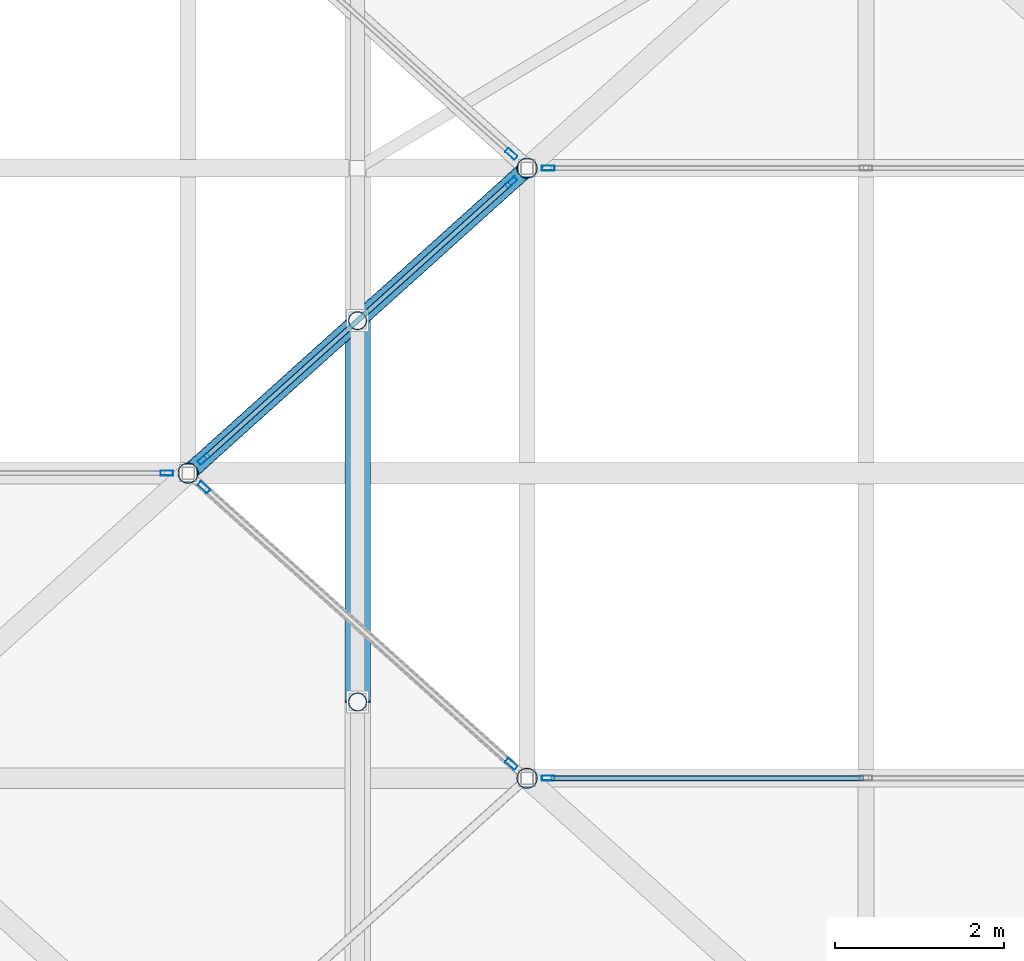
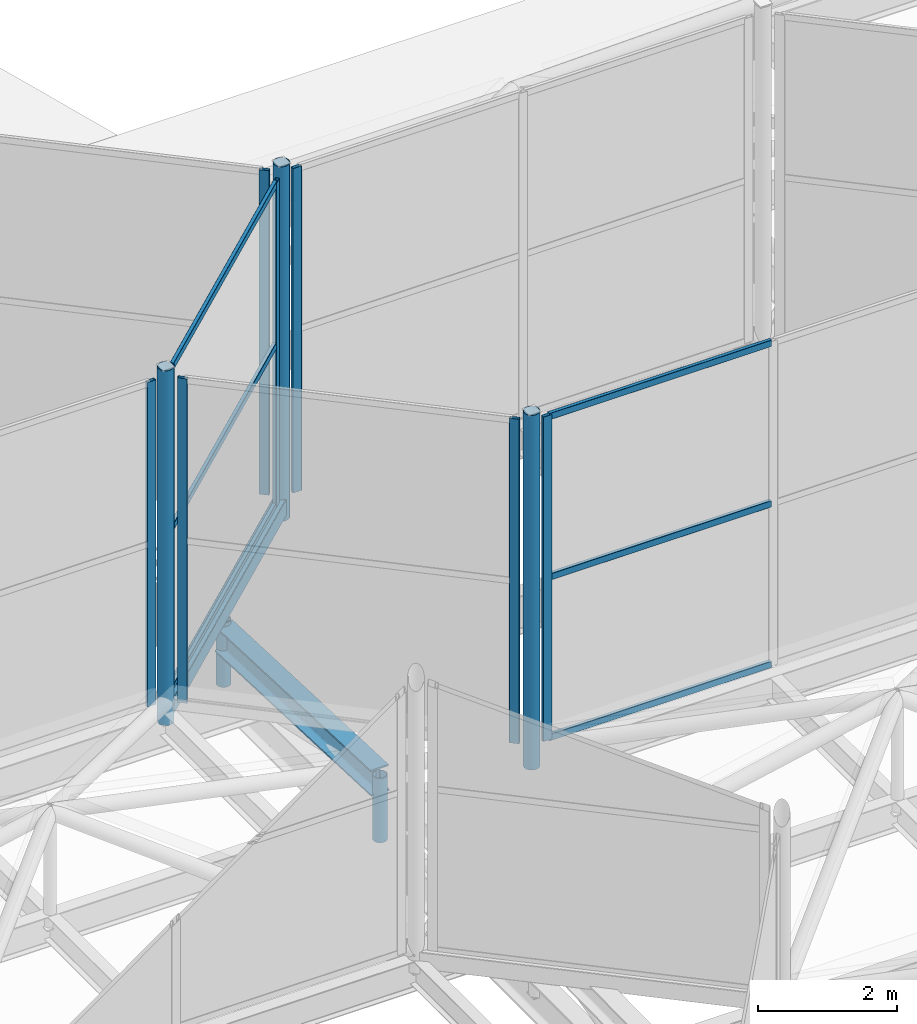
# One storey, part 86 of 239: 19 members, 2 beams, 6 elements without a shape of their own.
"""IFC4 building model written with IfcOpenShell, lengths in metres."""

import ifcopenshell
import ifcopenshell.guid

model = None  # the IFC model being written
_history = None  # IfcOwnerHistory: only IFC2X3 demands one
_inside = {}  # id of a spatial element -> (the spatial element, [elements in it])
_under = {}  # id of a project, library or spatial element -> (it, [spatial elements below it])
_declared = {}  # id of a project -> (the project, [libraries it declares])
_typed = {}  # id of a type object -> (the type object, [elements of that type])
_made_of = {}  # id of a material, layer set ... -> (it, [elements and type objects made of it])


def new_model(schema):
    """Start an empty IFC model of exactly this schema.

    Asked for "IFC4X3", IfcOpenShell would pick the latest addendum, in which some entities
    have other attributes; the version numbers below select the first issue.
    IFC2X3 requires an IfcOwnerHistory on every rooted entity: one is made here for all.
    """
    global model, _history
    if schema == "IFC4X3":
        model = ifcopenshell.file(schema_version=(4, 3, 0, 0))
    else:
        model = ifcopenshell.file(schema=schema)
    _inside.clear()
    _under.clear()
    _declared.clear()
    _typed.clear()
    _made_of.clear()
    _history = None
    if model.schema == "IFC2X3":
        org = make("IfcOrganization", Name="unknown")
        user = make(
            "IfcPersonAndOrganization",
            ThePerson=make("IfcPerson", FamilyName="unknown"),
            TheOrganization=org,
        )
        app = make(
            "IfcApplication",
            ApplicationDeveloper=org,
            Version="unknown",
            ApplicationFullName="unknown",
            ApplicationIdentifier="unknown",
        )
        _history = make(
            "IfcOwnerHistory",
            OwningUser=user,
            OwningApplication=app,
            ChangeAction="ADDED",
            CreationDate=0,
        )
    return model


def make(cls, **values):
    """One entity of the class cls with the attributes given. An attribute that is None is left unset."""
    return model.create_entity(
        cls, **{name: value for name, value in values.items() if value is not None}
    )


def rooted(cls, **values):
    """An entity with a GlobalId (a new one), such as an element, a storey or a relation."""
    return make(cls, GlobalId=ifcopenshell.guid.new(), OwnerHistory=_history, **values)


def si_unit(unit_type, name, prefix=None):
    """IfcSIUnit, for example si_unit("LENGTHUNIT", "METRE", prefix="MILLI")."""
    return make("IfcSIUnit", UnitType=unit_type, Prefix=prefix, Name=name)


def assignment(units):
    """IfcUnitAssignment: the units of a project."""
    return None if units is None else make("IfcUnitAssignment", Units=units)


def point(xyz):
    """IfcCartesianPoint."""
    return None if xyz is None else make("IfcCartesianPoint", Coordinates=xyz)


def direction(xyz):
    """IfcDirection."""
    return None if xyz is None else make("IfcDirection", DirectionRatios=xyz)


def frame(location, z_axis=None, x_axis=None):
    """IfcAxis2Placement3D, a coordinate frame: its origin and axes. An axis left out is left unset."""
    return make(
        "IfcAxis2Placement3D",
        Location=point(location),
        Axis=direction(z_axis),
        RefDirection=direction(x_axis),
    )


def frame_2d(location, x_axis=None):
    """IfcAxis2Placement2D, a coordinate frame in the plane: its origin and x axis."""
    return make(
        "IfcAxis2Placement2D", Location=point(location), RefDirection=direction(x_axis)
    )


def origin():
    """The frame at (0, 0, 0) with its axes left unset."""
    return frame((0.0, 0.0, 0.0))


def origin_2d():
    """The frame at (0, 0) in the plane with its x axis left unset."""
    return frame_2d((0.0, 0.0))


def place(relative_to, where):
    """IfcLocalPlacement: puts the frame where relative to a parent placement (None: the world)."""
    return make(
        "IfcLocalPlacement", PlacementRelTo=relative_to, RelativePlacement=where
    )


def context(
    kind, dimensions, precision=None, world=None, true_north=None, identifier=None
):
    """IfcGeometricRepresentationContext, for example the 3D "Model" context."""
    return make(
        "IfcGeometricRepresentationContext",
        ContextIdentifier=identifier,
        ContextType=kind,
        CoordinateSpaceDimension=dimensions,
        Precision=precision,
        WorldCoordinateSystem=world,
        TrueNorth=true_north,
    )


def subcontext(parent, identifier, kind, view, scale=None):
    """IfcGeometricRepresentationSubContext, for example "Body" below "Model"."""
    return make(
        "IfcGeometricRepresentationSubContext",
        ContextIdentifier=identifier,
        ContextType=kind,
        ParentContext=parent,
        TargetScale=scale,
        TargetView=view,
    )


def project(units=None, contexts=None):
    """IfcProject with its units and contexts."""
    return rooted(
        "IfcProject",
        Name="project",
        RepresentationContexts=contexts,
        UnitsInContext=assignment(units),
    )


def spatial(cls, under=None, at=None, **own):
    """A site, building, storey or space (cls), placed at a placement, below another one or the project."""
    s = rooted(cls, ObjectPlacement=at, **own)
    if under is not None:
        _under.setdefault(under.id(), (under, []))[1].append(s)
    return s


def profile(cls, at=None, kind="AREA", **sizes):
    """A parametric profile (cls). Its sizes go by their IFC names, for example OverallWidth=200.0."""
    return make(cls, ProfileType=kind, Position=at, **sizes)


def hollow_rectangle(**sizes):
    """IfcRectangleHollowProfileDef."""
    return profile("IfcRectangleHollowProfileDef", **sizes)


def hollow_circle(**sizes):
    """IfcCircleHollowProfileDef."""
    return profile("IfcCircleHollowProfileDef", **sizes)


def i_section(**sizes):
    """IfcIShapeProfileDef."""
    return profile("IfcIShapeProfileDef", **sizes)


def extrude(swept, where, along, depth):
    """IfcExtrudedAreaSolid: the profile swept, set in the frame where, extruded along a direction by depth."""
    return make(
        "IfcExtrudedAreaSolid",
        SweptArea=swept,
        Position=where,
        ExtrudedDirection=direction(along),
        Depth=depth,
    )


def shape(context_of_items, identifier, shape_type, items):
    """IfcShapeRepresentation: the items that make up one representation, for example the "Body"."""
    return make(
        "IfcShapeRepresentation",
        ContextOfItems=context_of_items,
        RepresentationIdentifier=identifier,
        RepresentationType=shape_type,
        Items=items,
    )


def material(Name=None, Category=None):
    """IfcMaterial."""
    return make("IfcMaterial", Name=Name, Category=Category)


def layer(
    of_material, thickness, ventilated=None, Name=None, Category=None, Priority=None
):
    """IfcMaterialLayer: one layer of a wall or slab, of a material (None: an air gap)."""
    return make(
        "IfcMaterialLayer",
        Material=of_material,
        LayerThickness=thickness,
        IsVentilated=ventilated,
        Name=Name,
        Category=Category,
        Priority=Priority,
    )


def layer_set(layers, Name=None):
    """IfcMaterialLayerSet."""
    return make("IfcMaterialLayerSet", MaterialLayers=layers, LayerSetName=Name)


def material_profile(
    of_material, cross_section, Name=None, Category=None, Priority=None
):
    """IfcMaterialProfile: a cross section and its material."""
    return make(
        "IfcMaterialProfile",
        Name=Name,
        Material=of_material,
        Profile=cross_section,
        Priority=Priority,
        Category=Category,
    )


def profile_set(profiles, Name=None, composite=None):
    """IfcMaterialProfileSet."""
    return make(
        "IfcMaterialProfileSet",
        Name=Name,
        MaterialProfiles=profiles,
        CompositeProfile=composite,
    )


def made_of(thing, what):
    """Note that an element or type object is made of a material, layer set ...; save() writes the relation."""
    if what is not None:
        _made_of.setdefault(what.id(), (what, []))[1].append(thing)
    return thing


def type_object(cls, material=None, **own):
    """A type object (cls), such as IfcWallType, which elements share."""
    return made_of(rooted(cls, **own), material)


def element(
    cls,
    number,
    at=None,
    inside=None,
    cuts=None,
    type_object=None,
    material=None,
    context=None,
    identifier="Body",
    shape_type=None,
    held_by="IfcProductDefinitionShape",
    body=None,
    shapes=None,
    **own,
):
    """One element of the class cls, such as IfcWall. Its Tag is "e" and its number.

    at: its placement. inside: the storey or other place that contains it. cuts: it is an
    opening in that element (IfcRelVoidsElement). A single representation is given by context,
    identifier, shape_type and body (its items); several are given by shapes. held_by: the class
    of the entity that holds the representations. save() writes the other relations.
    """
    e = rooted(cls, Tag="e%d" % number, ObjectPlacement=at, **own)
    if body is not None:
        shapes = [shape(context, identifier, shape_type, body)]
    if shapes is not None:
        e.Representation = make(held_by, Representations=shapes)
    if inside is not None:
        _inside.setdefault(inside.id(), (inside, []))[1].append(e)
    if cuts is not None:
        rooted(
            "IfcRelVoidsElement", RelatingBuildingElement=cuts, RelatedOpeningElement=e
        )
    if type_object is not None:
        _typed.setdefault(type_object.id(), (type_object, []))[1].append(e)
    return made_of(e, material)


def aggregate(whole, parts):
    """IfcRelAggregates: a whole, such as a stair, and the parts it consists of."""
    return rooted("IfcRelAggregates", RelatingObject=whole, RelatedObjects=parts)


def save(model, path):
    """Write the relations noted so far, then the file.

    IfcRelAggregates (storeys below a building ...), IfcRelContainedInSpatialStructure (elements
    in a storey), IfcRelDefinesByType, IfcRelAssociatesMaterial and IfcRelDeclares: one each for
    every whole, place, type object, material and project.
    """
    for whole, parts in _under.values():
        aggregate(whole, parts)
    for where, things in _inside.values():
        rooted(
            "IfcRelContainedInSpatialStructure",
            RelatedElements=things,
            RelatingStructure=where,
        )
    for kind, things in _typed.values():
        rooted("IfcRelDefinesByType", RelatedObjects=things, RelatingType=kind)
    for what, things in _made_of.values():
        rooted("IfcRelAssociatesMaterial", RelatedObjects=things, RelatingMaterial=what)
    for by, libraries in _declared.values():
        rooted("IfcRelDeclares", RelatingContext=by, RelatedDefinitions=libraries)
    model.write(path)


model = new_model("IFC4")

# Units and contexts
model_context = context("Model", 3, precision=1e-05, world=origin(), true_north=direction((0.0, 1.0)))
body_context = subcontext(model_context, "Body", "Model", "MODEL_VIEW")
ifc_project = project(units=[si_unit("LENGTHUNIT", "METRE"), si_unit("AREAUNIT", "SQUARE_METRE"), si_unit("VOLUMEUNIT", "CUBIC_METRE"), si_unit("PLANEANGLEUNIT", "RADIAN"), si_unit("MASSUNIT", "GRAM", prefix="KILO")], contexts=[model_context])

# Site, building, storey
site_placement = place(None, origin())
site = spatial("IfcSite", under=ifc_project, at=site_placement, CompositionType="ELEMENT")
building_placement = place(site_placement, origin())
building = spatial("IfcBuilding", under=site, at=building_placement, Name="Dunvalen Ferry Terminal", CompositionType="ELEMENT")
storey_placement = place(building_placement, frame((0.0, 0.0, 9.840087890625)))
storey = spatial("IfcBuildingStorey", under=building, at=storey_placement, Name="L02", CompositionType="ELEMENT", Elevation=9.840087890625)

# Curtain wall, member
ifc_material_1 = material(Name="Anodised marine aluminium and solar-control glazing", Category="aluminium")
ifc_layer_1 = layer(ifc_material_1, 0.179931640625, Name="Anodised marine aluminium and solar-control glazing")
ifc_layer_set_1 = layer_set([ifc_layer_1], Name="Anodised marine aluminium and solar-control glazing")
curtain_wall_type_1 = type_object("IfcCurtainWallType", Name="ENV-CW-SYS-06", PredefinedType="NOTDEFINED", material=ifc_layer_set_1)
curtain_wall_1_placement = place(storey_placement, origin())
curtain_wall_1 = element("IfcCurtainWall", 1, at=curtain_wall_1_placement, inside=storey, type_object=curtain_wall_type_1, Name="L02 Curtain Wall CW-HEX-16-SK-2", PredefinedType="NOTDEFINED")
ifc_material_2 = material(Name="Anodised marine aluminium EN AW-6063 T6", Category="aluminium")
ifc_material_profile_1 = material_profile(ifc_material_2, hollow_rectangle(XDim=0.06005859375, YDim=0.14990234375, WallThickness=0.00341796875, InnerFilletRadius=0.00341796875, OuterFilletRadius=0.007080078125, at=origin_2d()), Name="Anodised marine aluminium EN AW-6063 T6")
ifc_profile_set_1 = profile_set([ifc_material_profile_1], Name="Anodised marine aluminium EN AW-6063 T6")
member_type_1 = type_object("IfcMemberType", Name="ENV-CW-MUL-3", PredefinedType="MULLION", material=ifc_profile_set_1)
member_1_placement = place(storey_placement, frame((33.75, 75.60009765625, 1.139892578125), z_axis=(0.0, 0.0, 1.0), x_axis=(0.0, 1.0, 0.0)))
member_1 = element("IfcMember", 2, at=member_1_placement, type_object=member_type_1, Name="CW-06 mullion 3", PredefinedType="MULLION", context=body_context, shape_type="SweptSolid", body=[
    extrude(hollow_rectangle(XDim=0.06005859375, YDim=0.14990234375, WallThickness=0.00341796875, InnerFilletRadius=0.00341796875, OuterFilletRadius=0.007080078125, at=origin_2d()), origin(), (0.0, 0.0, 1.0), 5.699951171875),
])
aggregate(curtain_wall_1, [member_1])

# Curtain wall, members
ifc_layer_2 = layer(ifc_material_1, 0.179931640625, Name="Anodised marine aluminium and solar-control glazing")
ifc_layer_set_2 = layer_set([ifc_layer_2], Name="Anodised marine aluminium and solar-control glazing")
curtain_wall_type_2 = type_object("IfcCurtainWallType", Name="ENV-CW-SYS-05", PredefinedType="NOTDEFINED", material=ifc_layer_set_2)
curtain_wall_2_placement = place(storey_placement, origin())
curtain_wall_2 = element("IfcCurtainWall", 3, at=curtain_wall_2_placement, inside=storey, type_object=curtain_wall_type_2, Name="L02 Curtain Wall CW-HEX-16-SK-3", PredefinedType="NOTDEFINED")
member_2_placement = place(storey_placement, frame((34.185791015625, 75.767333984375, 1.139892578125), z_axis=(0.0, 0.0, 1.0), x_axis=(-0.668953550894, 0.74330420875, 0.0)))
member_2 = element("IfcMember", 4, at=member_2_placement, type_object=member_type_1, Name="CW-05 mullion 1", PredefinedType="MULLION", context=body_context, shape_type="SweptSolid", body=[
    extrude(hollow_rectangle(XDim=0.06005859375, YDim=0.14990234375, WallThickness=0.00341796875, InnerFilletRadius=0.00341796875, OuterFilletRadius=0.007080078125, at=origin_2d()), origin(), (0.0, 0.0, 1.0), 5.699951171875),
])
member_3_placement = place(storey_placement, frame((37.814208984375, 79.03271484375, 1.139892578125), z_axis=(0.0, 0.0, 1.0), x_axis=(-0.668953550894, 0.74330420875, 0.0)))
member_3 = element("IfcMember", 5, at=member_3_placement, type_object=member_type_1, Name="CW-05 mullion 2", PredefinedType="MULLION", context=body_context, shape_type="SweptSolid", body=[
    extrude(hollow_rectangle(XDim=0.06005859375, YDim=0.14990234375, WallThickness=0.00341796875, InnerFilletRadius=0.00341796875, OuterFilletRadius=0.007080078125, at=origin_2d()), origin(), (0.0, 0.0, 1.0), 5.699951171875),
])

# Curtain wall, member
curtain_wall_3_placement = place(storey_placement, origin())
curtain_wall_3 = element("IfcCurtainWall", 6, at=curtain_wall_3_placement, inside=storey, type_object=curtain_wall_type_1, Name="L02 Curtain Wall CW-HEX-16-SK-4", PredefinedType="NOTDEFINED")
member_4_placement = place(storey_placement, frame((37.814208984375, 79.3671875, 1.139892578125), z_axis=(0.0, 0.0, 1.0), x_axis=(-0.668953550894, -0.74330420875, 0.0)))
member_4 = element("IfcMember", 7, at=member_4_placement, type_object=member_type_1, Name="CW-06 mullion 1", PredefinedType="MULLION", context=body_context, shape_type="SweptSolid", body=[
    extrude(hollow_rectangle(XDim=0.06005859375, YDim=0.14990234375, WallThickness=0.00341796875, InnerFilletRadius=0.00341796875, OuterFilletRadius=0.007080078125, at=origin_2d()), origin(), (0.0, 0.0, 1.0), 5.699951171875),
])
aggregate(curtain_wall_3, [member_4])

# Curtain wall, members
curtain_wall_4_placement = place(storey_placement, origin())
curtain_wall_4 = element("IfcCurtainWall", 8, at=curtain_wall_4_placement, inside=storey, type_object=curtain_wall_type_2, Name="L02 Curtain Wall CW-HEX-21-SK-1", PredefinedType="NOTDEFINED")
member_5_placement = place(storey_placement, frame((34.185791015625, 75.4326171875, 1.139892578125), z_axis=(0.0, 0.0, 1.0), x_axis=(0.668953550894, 0.74330420875, 0.0)))
member_5 = element("IfcMember", 9, at=member_5_placement, type_object=member_type_1, Name="CW-05 mullion 1", PredefinedType="MULLION", context=body_context, shape_type="SweptSolid", body=[
    extrude(hollow_rectangle(XDim=0.06005859375, YDim=0.14990234375, WallThickness=0.00341796875, InnerFilletRadius=0.00341796875, OuterFilletRadius=0.007080078125, at=origin_2d()), origin(), (0.0, 0.0, 1.0), 5.699951171875),
])
member_6_placement = place(storey_placement, frame((37.814208984375, 72.167236328125, 1.139892578125), z_axis=(0.0, 0.0, 1.0), x_axis=(0.668953550894, 0.74330420875, 0.0)))
member_6 = element("IfcMember", 10, at=member_6_placement, type_object=member_type_1, Name="CW-05 mullion 2", PredefinedType="MULLION", context=body_context, shape_type="SweptSolid", body=[
    extrude(hollow_rectangle(XDim=0.06005859375, YDim=0.14990234375, WallThickness=0.00341796875, InnerFilletRadius=0.00341796875, OuterFilletRadius=0.007080078125, at=origin_2d()), origin(), (0.0, 0.0, 1.0), 5.699951171875),
])
aggregate(curtain_wall_4, [member_5, member_6])

# Curtain wall, member
curtain_wall_5_placement = place(storey_placement, origin())
curtain_wall_5 = element("IfcCurtainWall", 11, at=curtain_wall_5_placement, inside=storey, type_object=curtain_wall_type_1, Name="L02 Curtain Wall CW-HEX-21-SK-2", PredefinedType="NOTDEFINED")
member_7_placement = place(storey_placement, frame((38.25, 72.0, 1.139892578125), z_axis=(0.0, 0.0, 1.0), x_axis=(0.0, 1.0, 0.0)))
member_7 = element("IfcMember", 12, at=member_7_placement, type_object=member_type_1, Name="CW-06 mullion 1", PredefinedType="MULLION", context=body_context, shape_type="SweptSolid", body=[
    extrude(hollow_rectangle(XDim=0.06005859375, YDim=0.14990234375, WallThickness=0.00341796875, InnerFilletRadius=0.00341796875, OuterFilletRadius=0.007080078125, at=origin_2d()), origin(), (0.0, 0.0, 1.0), 5.699951171875),
])

curtain_wall_6_placement = place(storey_placement, origin())
curtain_wall_6 = element("IfcCurtainWall", 13, at=curtain_wall_6_placement, inside=storey, type_object=curtain_wall_type_2, Name="L02 Curtain Wall CW-HEX-21-SK-5", PredefinedType="NOTDEFINED")
member_8_placement = place(storey_placement, frame((38.25, 79.199951171875, 1.139892578125), z_axis=(0.0, 0.0, 1.0), x_axis=(0.0, -1.0, 0.0)))
member_8 = element("IfcMember", 14, at=member_8_placement, type_object=member_type_1, Name="CW-05 mullion 3", PredefinedType="MULLION", context=body_context, shape_type="SweptSolid", body=[
    extrude(hollow_rectangle(XDim=0.06005859375, YDim=0.14990234375, WallThickness=0.00341796875, InnerFilletRadius=0.00341796875, OuterFilletRadius=0.007080078125, at=origin_2d()), origin(), (0.0, 0.0, 1.0), 5.699951171875),
])
aggregate(curtain_wall_6, [member_8])

# Member
ifc_material_profile_2 = material_profile(ifc_material_2, hollow_rectangle(XDim=0.06005859375, YDim=0.114990234375, WallThickness=0.0029296875, InnerFilletRadius=0.0029296875, OuterFilletRadius=0.006103515625, at=origin_2d()), Name="Anodised marine aluminium EN AW-6063 T6")
ifc_profile_set_2 = profile_set([ifc_material_profile_2], Name="Anodised marine aluminium EN AW-6063 T6")
member_type_2 = type_object("IfcMemberType", Name="ENV-CW-TRN-3", PredefinedType="USERDEFINED", material=ifc_profile_set_2)
member_9_placement = place(storey_placement, frame((34.2080078125, 75.787353515625, 1.169921875), z_axis=(0.743319323261, 0.668936756104, 0.0), x_axis=(-0.668936756104, 0.743319323261, 0.0)))
member_9 = element("IfcMember", 15, at=member_9_placement, type_object=member_type_2, Name="CW-05 transom 1.1", ObjectType="TRANSOM", PredefinedType="USERDEFINED", context=body_context, shape_type="SweptSolid", body=[
    extrude(hollow_rectangle(XDim=0.06005859375, YDim=0.114990234375, WallThickness=0.0029296875, InnerFilletRadius=0.0029296875, OuterFilletRadius=0.006103515625, at=origin_2d()), origin(), (0.0, 0.0, 1.0), 4.821533203125),
])

member_10_placement = place(storey_placement, frame((34.2080078125, 75.787353515625, 3.989990234375), z_axis=(0.743319323261, 0.668936756104, 0.0), x_axis=(-0.668936756104, 0.743319323261, 0.0)))
member_10 = element("IfcMember", 16, at=member_10_placement, type_object=member_type_2, Name="CW-05 transom 1.2", ObjectType="TRANSOM", PredefinedType="USERDEFINED", context=body_context, shape_type="SweptSolid", body=[
    extrude(hollow_rectangle(XDim=0.06005859375, YDim=0.114990234375, WallThickness=0.0029296875, InnerFilletRadius=0.0029296875, OuterFilletRadius=0.006103515625, at=origin_2d()), origin(), (0.0, 0.0, 1.0), 4.821533203125),
])

member_11_placement = place(storey_placement, frame((34.2080078125, 75.787353515625, 6.809814453125), z_axis=(0.743319323261, 0.668936756104, 0.0), x_axis=(-0.668936756104, 0.743319323261, 0.0)))
member_11 = element("IfcMember", 17, at=member_11_placement, type_object=member_type_2, Name="CW-05 transom 1.3", ObjectType="TRANSOM", PredefinedType="USERDEFINED", context=body_context, shape_type="SweptSolid", body=[
    extrude(hollow_rectangle(XDim=0.06005859375, YDim=0.114990234375, WallThickness=0.0029296875, InnerFilletRadius=0.0029296875, OuterFilletRadius=0.006103515625, at=origin_2d()), origin(), (0.0, 0.0, 1.0), 4.821533203125),
])

aggregate(curtain_wall_2, [member_2, member_3, member_9, member_10, member_11])

member_12_placement = place(storey_placement, frame((38.280029296875, 72.0, 1.169921875), z_axis=(1.0, 0.0, 0.0), x_axis=(0.0, 1.0, 0.0)))
member_12 = element("IfcMember", 18, at=member_12_placement, type_object=member_type_2, Name="CW-06 transom 1.1", ObjectType="TRANSOM", PredefinedType="USERDEFINED", context=body_context, shape_type="SweptSolid", body=[
    extrude(hollow_rectangle(XDim=0.06005859375, YDim=0.114990234375, WallThickness=0.0029296875, InnerFilletRadius=0.0029296875, OuterFilletRadius=0.006103515625, at=origin_2d()), origin(), (0.0, 0.0, 1.0), 3.68994140625),
])

member_13_placement = place(storey_placement, frame((38.280029296875, 72.0, 3.989990234375), z_axis=(1.0, 0.0, 0.0), x_axis=(0.0, 1.0, 0.0)))
member_13 = element("IfcMember", 19, at=member_13_placement, type_object=member_type_2, Name="CW-06 transom 1.2", ObjectType="TRANSOM", PredefinedType="USERDEFINED", context=body_context, shape_type="SweptSolid", body=[
    extrude(hollow_rectangle(XDim=0.06005859375, YDim=0.114990234375, WallThickness=0.0029296875, InnerFilletRadius=0.0029296875, OuterFilletRadius=0.006103515625, at=origin_2d()), origin(), (0.0, 0.0, 1.0), 3.68994140625),
])

member_14_placement = place(storey_placement, frame((38.280029296875, 72.0, 6.809814453125), z_axis=(1.0, 0.0, 0.0), x_axis=(0.0, 1.0, 0.0)))
member_14 = element("IfcMember", 20, at=member_14_placement, type_object=member_type_2, Name="CW-06 transom 1.3", ObjectType="TRANSOM", PredefinedType="USERDEFINED", context=body_context, shape_type="SweptSolid", body=[
    extrude(hollow_rectangle(XDim=0.06005859375, YDim=0.114990234375, WallThickness=0.0029296875, InnerFilletRadius=0.0029296875, OuterFilletRadius=0.006103515625, at=origin_2d()), origin(), (0.0, 0.0, 1.0), 3.68994140625),
])

aggregate(curtain_wall_5, [member_7, member_12, member_13, member_14])

# Beams
ifc_material_3 = material(Name="Steel S355", Category="steel")
ifc_material_profile_3 = material_profile(ifc_material_3, i_section(OverallWidth=0.300048828125, OverallDepth=0.449951171875, WebThickness=0.013916015625, FlangeThickness=0.02587890625, FilletRadius=0.027099609375, at=origin_2d()), Name="Steel S355")
ifc_profile_set_3 = profile_set([ifc_material_profile_3], Name="Steel S355")
beam_type_1 = type_object("IfcBeamType", Name="STR-BM-HEB450", PredefinedType="BEAM", material=ifc_profile_set_3)
beam_1_placement = place(storey_placement, frame((36.0, 72.89990234375, 0.65869140625), z_axis=(0.0, 0.999166564808, -0.040818816368), x_axis=(-1.0, 0.0, 0.0)))
element("IfcBeam", 21, at=beam_1_placement, inside=storey, type_object=beam_type_1, Name="Departure Hall Tied-Arch Rib 03.6", PredefinedType="BEAM", context=body_context, shape_type="SweptSolid", body=[
    extrude(i_section(OverallWidth=0.300048828125, OverallDepth=0.449951171875, WebThickness=0.013916015625, FlangeThickness=0.02587890625, FilletRadius=0.027099609375, at=origin_2d()), origin(), (0.0, 0.0, 1.0), 4.503662109375),
])
ifc_material_profile_4 = material_profile(ifc_material_3, hollow_rectangle(XDim=0.199951171875, YDim=0.300048828125, WallThickness=0.010009765625, InnerFilletRadius=0.010009765625, OuterFilletRadius=0.02001953125, at=origin_2d()), Name="Steel S355")
ifc_profile_set_4 = profile_set([ifc_material_profile_4], Name="Steel S355")
beam_type_2 = type_object("IfcBeamType", Name="STR-BM-RHS300", PredefinedType="BEAM", material=ifc_profile_set_4)
beam_2_placement = place(storey_placement, frame((34.0, 75.60009765625, 1.0), z_axis=(0.74330768127, 0.668949692402, 0.0), x_axis=(-0.668949692402, 0.74330768127, 0.0)))
element("IfcBeam", 22, at=beam_2_placement, inside=storey, type_object=beam_type_2, Name="HEX-16 Lantern Curb Ring Beam 3", PredefinedType="BEAM", context=body_context, shape_type="SweptSolid", body=[
    extrude(hollow_rectangle(XDim=0.199951171875, YDim=0.300048828125, WallThickness=0.010009765625, InnerFilletRadius=0.010009765625, OuterFilletRadius=0.02001953125, at=origin_2d()), origin(), (0.0, 0.0, 1.0), 5.38134765625),
])

# Members
ifc_material_profile_5 = material_profile(ifc_material_3, hollow_circle(Radius=0.109619140625, WallThickness=0.010009765625, at=origin_2d()), Name="Steel S355")
ifc_profile_set_5 = profile_set([ifc_material_profile_5], Name="Steel S355")
member_type_3 = type_object("IfcMemberType", Name="STR-MB-CHS219", PredefinedType="STRUT", material=ifc_profile_set_5)
for number, where, z_axis, x_axis, name in (
    (23, (36.0, 72.89990234375, -0.360107421875), (0.0, 0.0, 1.0), (1.0, 0.0, 0.0), "Departure Hall Arch Spandrel Strut 03.5"),
    (24, (36.0, 77.39990234375, -0.360107421875), (0.0, 0.0, 1.0), (1.0, 0.0, 0.0), "Departure Hall Arch Spandrel Strut 03.6"),
):
    element("IfcMember", number, at=place(storey_placement, frame(where, z_axis=z_axis, x_axis=x_axis)), inside=storey, type_object=member_type_3, Name=name, PredefinedType="STRUT", context=body_context, shape_type="SweptSolid", body=[
        extrude(hollow_circle(Radius=0.109619140625, WallThickness=0.010009765625, at=origin_2d()), origin(), (0.0, 0.0, 1.0), 1.130126953125),
    ])
ifc_material_profile_6 = material_profile(ifc_material_3, hollow_circle(Radius=0.122314453125, WallThickness=0.010009765625, at=origin_2d()), Name="Steel S355")
ifc_profile_set_6 = profile_set([ifc_material_profile_6], Name="Steel S355")
member_type_4 = type_object("IfcMemberType", Name="STR-MB-CHS244", PredefinedType="STRUT", material=ifc_profile_set_6)
for number, where, z_axis, x_axis, name in (
    (25, (34.0, 75.60009765625, 0.77001953125), (0.0, 0.0, 1.0), (1.0, 0.0, 0.0), "HEX-16 Skylight Lantern Corner Strut 3"),
    (26, (38.0, 79.199951171875, 0.77001953125), (0.0, 0.0, 1.0), (1.0, 0.0, 0.0), "HEX-16 Skylight Lantern Corner Strut 4"),
    (27, (38.0, 72.0, 0.77001953125), (0.0, 0.0, 1.0), (1.0, 0.0, 0.0), "HEX-21 Skylight Lantern Corner Strut 2"),
):
    element("IfcMember", number, at=place(storey_placement, frame(where, z_axis=z_axis, x_axis=x_axis)), inside=storey, type_object=member_type_4, Name=name, PredefinedType="STRUT", context=body_context, shape_type="SweptSolid", body=[
        extrude(hollow_circle(Radius=0.122314453125, WallThickness=0.010009765625, at=origin_2d()), origin(), (0.0, 0.0, 1.0), 6.22998046875),
    ])

save(model, "model.ifc")
